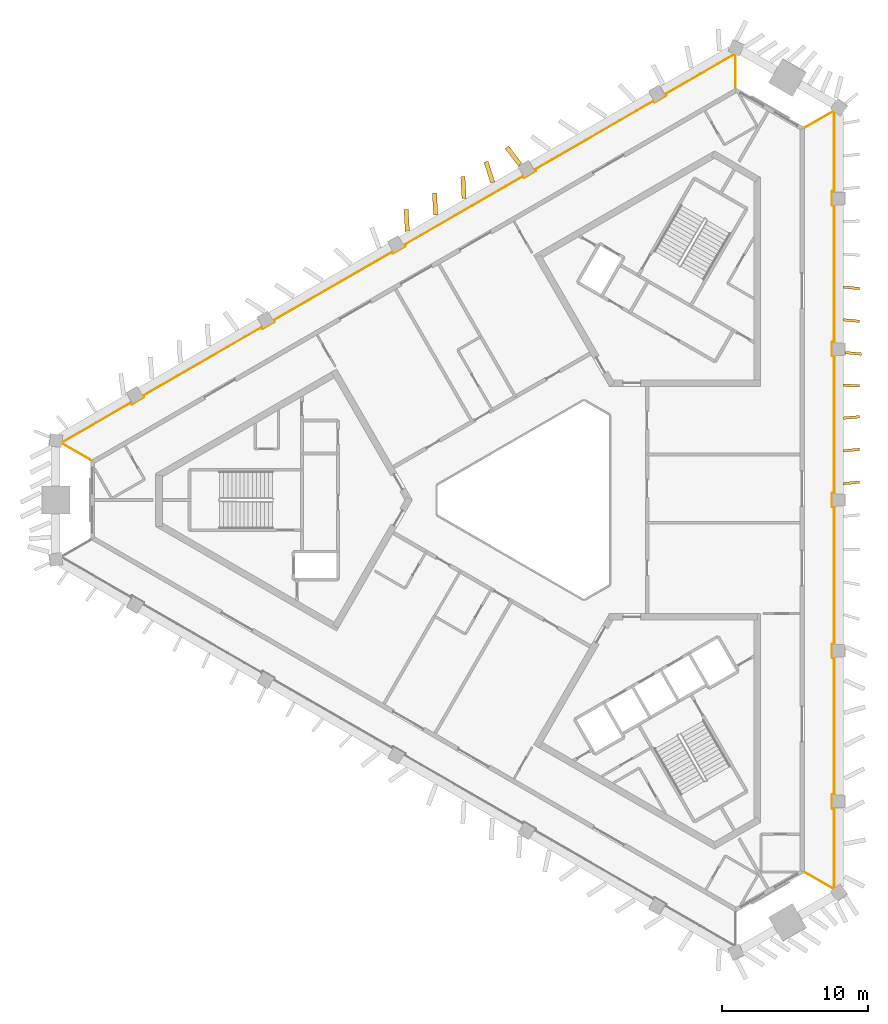
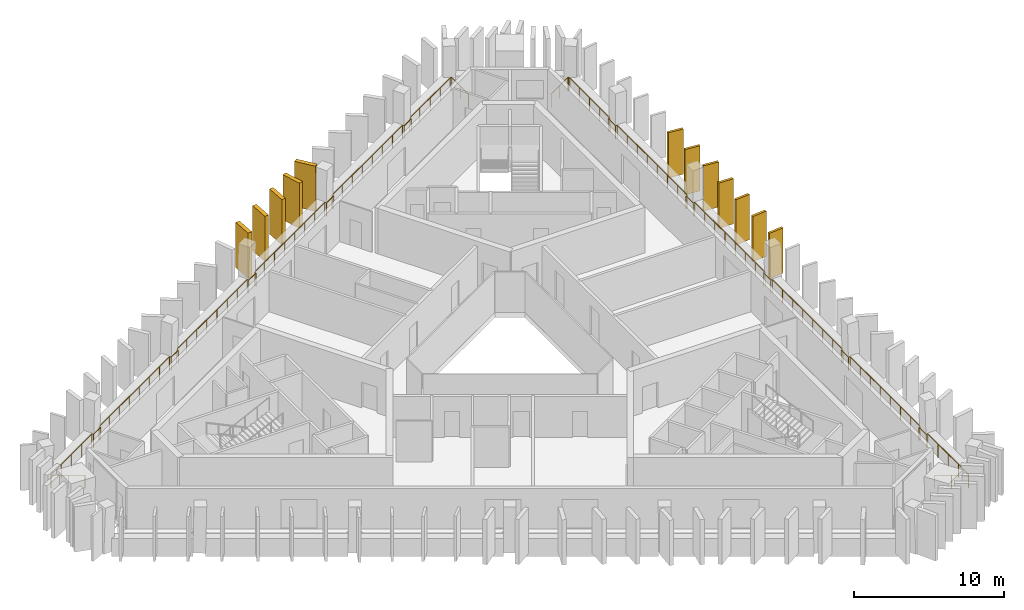
# One storey, part 9 of 10: 12 shading devices, 2 railings.
"""IFC4 building model written with IfcOpenShell, lengths in metres."""

from ifc_helpers import new_model, si_unit, direction, frame, frame_2d, origin, origin_2d, place, context, subcontext, project, spatial, rectangle, circle, extrude, material, layer, layer_set, type_object, element, save


model = new_model("IFC4")

# Units and contexts
model_context = context("Model", 3, precision=1e-05, world=origin(), true_north=direction((0.0, 1.0)))
body_context = subcontext(model_context, "Body", "Model", "MODEL_VIEW")
ifc_project = project(units=[si_unit("LENGTHUNIT", "METRE"), si_unit("AREAUNIT", "SQUARE_METRE"), si_unit("VOLUMEUNIT", "CUBIC_METRE"), si_unit("PLANEANGLEUNIT", "RADIAN"), si_unit("MASSUNIT", "GRAM", prefix="KILO")], contexts=[model_context])

# Site, building, storey
site_placement = place(None, origin())
site = spatial("IfcSite", under=ifc_project, at=site_placement, CompositionType="ELEMENT")
building_placement = place(site_placement, origin())
building = spatial("IfcBuilding", under=site, at=building_placement, Name="Jabali Bay Hotel Tower and Convention Centre", CompositionType="ELEMENT")
storey_placement = place(building_placement, frame((0.0, 0.0, 216.89990234375)))
storey = spatial("IfcBuildingStorey", under=building, at=storey_placement, Name="L53", CompositionType="ELEMENT", Elevation=216.89990234375)

# Railings
ifc_material_1 = material(Name="Glass", Category="glass")
railing_type = type_object("IfcRailingType", Name="Loggia glass guard 1100", PredefinedType="BALUSTRADE", material=ifc_material_1)
railing_1_placement = place(storey_placement, frame((92.9267578125, 105.546142578125, 0.0)))
element("IfcRailing", 1, at=railing_1_placement, inside=storey, type_object=railing_type, Name="Loggia glass guard L53", PredefinedType="BALUSTRADE", context=body_context, shape_type="SweptSolid", body=[
    extrude(circle(Radius=0.02490234375, at=origin_2d()), frame((0.0, 0.0, 1.0751953125), z_axis=(0.866008297462, 0.50002962785, 0.0), x_axis=(-0.495751805066, 0.858599476426, 0.13052619222)), (0.0, 0.0, 1.0), 2.247314453125),
    extrude(circle(Radius=0.02490234375, at=origin_2d()), frame((1.9462890625, 1.123779296875, 1.0751953125), z_axis=(0.8, -0.6, 0.0), x_axis=(0.594866916824, 0.793155889099, 0.13052619222)), (0.0, 0.0, 1.0), 0.067138671875),
    extrude(circle(Radius=0.02490234375, at=origin_2d()), frame((2.0, 1.08349609375, 1.0751953125), z_axis=(0.0, -1.0, 0.0), x_axis=(0.991444861374, 0.0, 0.13052619222)), (0.0, 0.0, 1.0), 5.4609375),
    extrude(circle(Radius=0.02490234375, at=origin_2d()), frame((2.0, -4.37744140625, 1.0751953125), z_axis=(-1.0, 0.0, 0.0), x_axis=(0.0, -0.991444861374, 0.13052619222)), (0.0, 0.0, 1.0), 0.125),
    extrude(circle(Radius=0.02490234375, at=origin_2d()), frame((1.875, -4.37744140625, 1.0751953125), z_axis=(0.0, -1.0, 0.0), x_axis=(0.991444861374, 0.0, 0.13052619222)), (0.0, 0.0, 1.0), 0.949951171875),
    extrude(circle(Radius=0.02490234375, at=origin_2d()), frame((1.875, -5.327392578125, 1.0751953125), z_axis=(1.0, 0.0, 0.0), x_axis=(0.0, 0.991444861374, 0.13052619222)), (0.0, 0.0, 1.0), 0.125),
    extrude(circle(Radius=0.02490234375, at=origin_2d()), frame((2.0, -5.327392578125, 1.0751953125), z_axis=(0.0, -1.0, 0.0), x_axis=(0.991444861374, 0.0, 0.13052619222)), (0.0, 0.0, 1.0), 9.39697265625),
    extrude(circle(Radius=0.02490234375, at=origin_2d()), frame((2.0, -14.724365234375, 1.0751953125), z_axis=(-1.0, 0.0, 0.0), x_axis=(0.0, -0.991444861374, 0.13052619222)), (0.0, 0.0, 1.0), 0.125),
    extrude(circle(Radius=0.02490234375, at=origin_2d()), frame((1.875, -14.724365234375, 1.0751953125), z_axis=(0.0, -1.0, 0.0), x_axis=(0.991444861374, 0.0, 0.13052619222)), (0.0, 0.0, 1.0), 0.949951171875),
    extrude(circle(Radius=0.02490234375, at=origin_2d()), frame((1.875, -15.67431640625, 1.0751953125), z_axis=(1.0, 0.0, 0.0), x_axis=(0.0, 0.991444861374, 0.13052619222)), (0.0, 0.0, 1.0), 0.125),
    extrude(circle(Radius=0.02490234375, at=origin_2d()), frame((2.0, -15.67431640625, 1.0751953125), z_axis=(0.0, -1.0, 0.0), x_axis=(0.991444861374, 0.0, 0.13052619222)), (0.0, 0.0, 1.0), 9.396728515625),
    extrude(circle(Radius=0.02490234375, at=origin_2d()), frame((2.0, -25.071044921875, 1.0751953125), z_axis=(-1.0, 0.0, 0.0), x_axis=(0.0, -0.991444861374, 0.13052619222)), (0.0, 0.0, 1.0), 0.125),
    extrude(circle(Radius=0.02490234375, at=origin_2d()), frame((1.875, -25.071044921875, 1.0751953125), z_axis=(0.0, -1.0, 0.0), x_axis=(0.991444861374, 0.0, 0.13052619222)), (0.0, 0.0, 1.0), 0.9501953125),
    extrude(circle(Radius=0.02490234375, at=origin_2d()), frame((1.875, -26.021240234375, 1.0751953125), z_axis=(1.0, 0.0, 0.0), x_axis=(0.0, 0.991444861374, 0.13052619222)), (0.0, 0.0, 1.0), 0.125),
    extrude(circle(Radius=0.02490234375, at=origin_2d()), frame((2.0, -26.021240234375, 1.0751953125), z_axis=(0.0, -1.0, 0.0), x_axis=(0.991444861374, 0.0, 0.13052619222)), (0.0, 0.0, 1.0), 9.396728515625),
    extrude(circle(Radius=0.02490234375, at=origin_2d()), frame((2.0, -35.41796875, 1.0751953125), z_axis=(-1.0, 0.0, 0.0), x_axis=(0.0, -0.991444861374, 0.13052619222)), (0.0, 0.0, 1.0), 0.125),
    extrude(circle(Radius=0.02490234375, at=origin_2d()), frame((1.875, -35.41796875, 1.0751953125), z_axis=(0.0, -1.0, 0.0), x_axis=(0.991444861374, 0.0, 0.13052619222)), (0.0, 0.0, 1.0), 0.949951171875),
    extrude(circle(Radius=0.02490234375, at=origin_2d()), frame((1.875, -36.367919921875, 1.0751953125), z_axis=(1.0, 0.0, 0.0), x_axis=(0.0, 0.991444861374, 0.13052619222)), (0.0, 0.0, 1.0), 0.125),
    extrude(circle(Radius=0.02490234375, at=origin_2d()), frame((2.0, -36.367919921875, 1.0751953125), z_axis=(0.0, -1.0, 0.0), x_axis=(0.991444861374, 0.0, 0.13052619222)), (0.0, 0.0, 1.0), 9.39697265625),
    extrude(circle(Radius=0.02490234375, at=origin_2d()), frame((2.0, -45.764892578125, 1.0751953125), z_axis=(-1.0, 0.0, 0.0), x_axis=(0.0, -0.991444861374, 0.13052619222)), (0.0, 0.0, 1.0), 0.125),
    extrude(circle(Radius=0.02490234375, at=origin_2d()), frame((1.875, -45.764892578125, 1.0751953125), z_axis=(0.0, -1.0, 0.0), x_axis=(0.991444861374, 0.0, 0.13052619222)), (0.0, 0.0, 1.0), 0.949951171875),
    extrude(circle(Radius=0.02490234375, at=origin_2d()), frame((1.875, -46.71484375, 1.0751953125), z_axis=(1.0, 0.0, 0.0), x_axis=(0.0, 0.991444861374, 0.13052619222)), (0.0, 0.0, 1.0), 0.125),
    extrude(circle(Radius=0.02490234375, at=origin_2d()), frame((2.0, -46.71484375, 1.0751953125), z_axis=(0.0, -1.0, 0.0), x_axis=(0.991444861374, 0.0, 0.13052619222)), (0.0, 0.0, 1.0), 5.4609375),
    extrude(circle(Radius=0.02490234375, at=origin_2d()), frame((2.0, -52.17578125, 1.0751953125), z_axis=(-0.8, -0.6, 0.0), x_axis=(0.594866916824, -0.793155889099, 0.13052619222)), (0.0, 0.0, 1.0), 0.067138671875),
    extrude(circle(Radius=0.02490234375, at=origin_2d()), frame((1.9462890625, -52.216064453125, 1.0751953125), z_axis=(-0.866008297462, 0.50002962785, 0.0), x_axis=(-0.495751805066, -0.858599476426, 0.13052619222)), (0.0, 0.0, 1.0), 2.247314453125),
    extrude(circle(Radius=0.02001953125, at=origin_2d()), origin(), (0.0, 0.0, 1.0), 1.050048828125),
    extrude(circle(Radius=0.02001953125, at=origin_2d()), frame((0.97314453125, 0.56201171875, 0.0)), (0.0, 0.0, 1.0), 1.050048828125),
    extrude(circle(Radius=0.02001953125, at=origin_2d()), frame((1.9462890625, 1.123779296875, 0.0)), (0.0, 0.0, 1.0), 1.050048828125),
    extrude(circle(Radius=0.02001953125, at=origin_2d()), frame((2.0, 1.08349609375, 0.0)), (0.0, 0.0, 1.0), 1.050048828125),
    extrude(circle(Radius=0.02001953125, at=origin_2d()), frame((2.0, -0.28173828125, 0.0)), (0.0, 0.0, 1.0), 1.050048828125),
    extrude(circle(Radius=0.02001953125, at=origin_2d()), frame((2.0, -1.64697265625, 0.0)), (0.0, 0.0, 1.0), 1.050048828125),
    extrude(circle(Radius=0.02001953125, at=origin_2d()), frame((2.0, -3.01220703125, 0.0)), (0.0, 0.0, 1.0), 1.050048828125),
    extrude(circle(Radius=0.02001953125, at=origin_2d()), frame((2.0, -4.37744140625, 0.0)), (0.0, 0.0, 1.0), 1.050048828125),
    extrude(circle(Radius=0.02001953125, at=origin_2d()), frame((1.875, -4.37744140625, 0.0)), (0.0, 0.0, 1.0), 1.050048828125),
    extrude(circle(Radius=0.02001953125, at=origin_2d()), frame((1.875, -5.327392578125, 0.0)), (0.0, 0.0, 1.0), 1.050048828125),
    extrude(circle(Radius=0.02001953125, at=origin_2d()), frame((2.0, -5.327392578125, 0.0)), (0.0, 0.0, 1.0), 1.050048828125),
    extrude(circle(Radius=0.02001953125, at=origin_2d()), frame((2.0, -6.669921875, 0.0)), (0.0, 0.0, 1.0), 1.050048828125),
    extrude(circle(Radius=0.02001953125, at=origin_2d()), frame((2.0, -8.01220703125, 0.0)), (0.0, 0.0, 1.0), 1.050048828125),
    extrude(circle(Radius=0.02001953125, at=origin_2d()), frame((2.0, -9.354736328125, 0.0)), (0.0, 0.0, 1.0), 1.050048828125),
    extrude(circle(Radius=0.02001953125, at=origin_2d()), frame((2.0, -10.697021484375, 0.0)), (0.0, 0.0, 1.0), 1.050048828125),
    extrude(circle(Radius=0.02001953125, at=origin_2d()), frame((2.0, -12.03955078125, 0.0)), (0.0, 0.0, 1.0), 1.050048828125),
    extrude(circle(Radius=0.02001953125, at=origin_2d()), frame((2.0, -13.3818359375, 0.0)), (0.0, 0.0, 1.0), 1.050048828125),
    extrude(circle(Radius=0.02001953125, at=origin_2d()), frame((2.0, -14.724365234375, 0.0)), (0.0, 0.0, 1.0), 1.050048828125),
    extrude(circle(Radius=0.02001953125, at=origin_2d()), frame((1.875, -14.724365234375, 0.0)), (0.0, 0.0, 1.0), 1.050048828125),
    extrude(circle(Radius=0.02001953125, at=origin_2d()), frame((1.875, -15.67431640625, 0.0)), (0.0, 0.0, 1.0), 1.050048828125),
    extrude(circle(Radius=0.02001953125, at=origin_2d()), frame((2.0, -15.67431640625, 0.0)), (0.0, 0.0, 1.0), 1.050048828125),
    extrude(circle(Radius=0.02001953125, at=origin_2d()), frame((2.0, -17.0166015625, 0.0)), (0.0, 0.0, 1.0), 1.050048828125),
    extrude(circle(Radius=0.02001953125, at=origin_2d()), frame((2.0, -18.359130859375, 0.0)), (0.0, 0.0, 1.0), 1.050048828125),
    extrude(circle(Radius=0.02001953125, at=origin_2d()), frame((2.0, -19.701416015625, 0.0)), (0.0, 0.0, 1.0), 1.050048828125),
    extrude(circle(Radius=0.02001953125, at=origin_2d()), frame((2.0, -21.0439453125, 0.0)), (0.0, 0.0, 1.0), 1.050048828125),
    extrude(circle(Radius=0.02001953125, at=origin_2d()), frame((2.0, -22.38623046875, 0.0)), (0.0, 0.0, 1.0), 1.050048828125),
    extrude(circle(Radius=0.02001953125, at=origin_2d()), frame((2.0, -23.728759765625, 0.0)), (0.0, 0.0, 1.0), 1.050048828125),
    extrude(circle(Radius=0.02001953125, at=origin_2d()), frame((2.0, -25.071044921875, 0.0)), (0.0, 0.0, 1.0), 1.050048828125),
    extrude(circle(Radius=0.02001953125, at=origin_2d()), frame((1.875, -25.071044921875, 0.0)), (0.0, 0.0, 1.0), 1.050048828125),
    extrude(circle(Radius=0.02001953125, at=origin_2d()), frame((1.875, -26.021240234375, 0.0)), (0.0, 0.0, 1.0), 1.050048828125),
    extrude(circle(Radius=0.02001953125, at=origin_2d()), frame((2.0, -26.021240234375, 0.0)), (0.0, 0.0, 1.0), 1.050048828125),
    extrude(circle(Radius=0.02001953125, at=origin_2d()), frame((2.0, -27.363525390625, 0.0)), (0.0, 0.0, 1.0), 1.050048828125),
    extrude(circle(Radius=0.02001953125, at=origin_2d()), frame((2.0, -28.7060546875, 0.0)), (0.0, 0.0, 1.0), 1.050048828125),
    extrude(circle(Radius=0.02001953125, at=origin_2d()), frame((2.0, -30.04833984375, 0.0)), (0.0, 0.0, 1.0), 1.050048828125),
    extrude(circle(Radius=0.02001953125, at=origin_2d()), frame((2.0, -31.390869140625, 0.0)), (0.0, 0.0, 1.0), 1.050048828125),
    extrude(circle(Radius=0.02001953125, at=origin_2d()), frame((2.0, -32.733154296875, 0.0)), (0.0, 0.0, 1.0), 1.050048828125),
    extrude(circle(Radius=0.02001953125, at=origin_2d()), frame((2.0, -34.07568359375, 0.0)), (0.0, 0.0, 1.0), 1.050048828125),
    extrude(circle(Radius=0.02001953125, at=origin_2d()), frame((2.0, -35.41796875, 0.0)), (0.0, 0.0, 1.0), 1.050048828125),
    extrude(circle(Radius=0.02001953125, at=origin_2d()), frame((1.875, -35.41796875, 0.0)), (0.0, 0.0, 1.0), 1.050048828125),
    extrude(circle(Radius=0.02001953125, at=origin_2d()), frame((1.875, -36.367919921875, 0.0)), (0.0, 0.0, 1.0), 1.050048828125),
    extrude(circle(Radius=0.02001953125, at=origin_2d()), frame((2.0, -36.367919921875, 0.0)), (0.0, 0.0, 1.0), 1.050048828125),
    extrude(circle(Radius=0.02001953125, at=origin_2d()), frame((2.0, -37.71044921875, 0.0)), (0.0, 0.0, 1.0), 1.050048828125),
    extrude(circle(Radius=0.02001953125, at=origin_2d()), frame((2.0, -39.052734375, 0.0)), (0.0, 0.0, 1.0), 1.050048828125),
    extrude(circle(Radius=0.02001953125, at=origin_2d()), frame((2.0, -40.395263671875, 0.0)), (0.0, 0.0, 1.0), 1.050048828125),
    extrude(circle(Radius=0.02001953125, at=origin_2d()), frame((2.0, -41.737548828125, 0.0)), (0.0, 0.0, 1.0), 1.050048828125),
    extrude(circle(Radius=0.02001953125, at=origin_2d()), frame((2.0, -43.080078125, 0.0)), (0.0, 0.0, 1.0), 1.050048828125),
    extrude(circle(Radius=0.02001953125, at=origin_2d()), frame((2.0, -44.42236328125, 0.0)), (0.0, 0.0, 1.0), 1.050048828125),
    extrude(circle(Radius=0.02001953125, at=origin_2d()), frame((2.0, -45.764892578125, 0.0)), (0.0, 0.0, 1.0), 1.050048828125),
    extrude(circle(Radius=0.02001953125, at=origin_2d()), frame((1.875, -45.764892578125, 0.0)), (0.0, 0.0, 1.0), 1.050048828125),
    extrude(circle(Radius=0.02001953125, at=origin_2d()), frame((1.875, -46.71484375, 0.0)), (0.0, 0.0, 1.0), 1.050048828125),
    extrude(circle(Radius=0.02001953125, at=origin_2d()), frame((2.0, -46.71484375, 0.0)), (0.0, 0.0, 1.0), 1.050048828125),
    extrude(circle(Radius=0.02001953125, at=origin_2d()), frame((2.0, -48.080078125, 0.0)), (0.0, 0.0, 1.0), 1.050048828125),
    extrude(circle(Radius=0.02001953125, at=origin_2d()), frame((2.0, -49.4453125, 0.0)), (0.0, 0.0, 1.0), 1.050048828125),
    extrude(circle(Radius=0.02001953125, at=origin_2d()), frame((2.0, -50.810546875, 0.0)), (0.0, 0.0, 1.0), 1.050048828125),
    extrude(circle(Radius=0.02001953125, at=origin_2d()), frame((2.0, -52.17578125, 0.0)), (0.0, 0.0, 1.0), 1.050048828125),
    extrude(circle(Radius=0.02001953125, at=origin_2d()), frame((1.9462890625, -52.216064453125, 0.0)), (0.0, 0.0, 1.0), 1.050048828125),
    extrude(circle(Radius=0.02001953125, at=origin_2d()), frame((0.97314453125, -51.654296875, 0.0)), (0.0, 0.0, 1.0), 1.050048828125),
    extrude(circle(Radius=0.02001953125, at=origin_2d()), frame((0.0, -51.09228515625, 0.0)), (0.0, 0.0, 1.0), 1.050048828125),
])
railing_2_placement = place(storey_placement, frame((43.9130859375, 82.751953125, 0.0)))
element("IfcRailing", 2, at=railing_2_placement, inside=storey, type_object=railing_type, Name="Loggia glass guard L53", PredefinedType="BALUSTRADE", context=body_context, shape_type="SweptSolid", body=[
    extrude(circle(Radius=0.02490234375, at=origin_2d()), frame((0.0, 0.0, 1.0751953125), z_axis=(-0.866082486575, 0.499901116671, 0.0), x_axis=(-0.495624393318, -0.85867303084, 0.13052619222)), (0.0, 0.0, 1.0), 2.24755859375),
    extrude(circle(Radius=0.02490234375, at=origin_2d()), frame((-1.946533203125, 1.12353515625, 1.0751953125), z_axis=(0.123587346971, 0.992333697739, 0.0), x_axis=(-0.983844145392, 0.122530040085, 0.13052619222)), (0.0, 0.0, 1.0), 0.067138671875),
    extrude(circle(Radius=0.02490234375, at=origin_2d()), frame((-1.938232421875, 1.190185546875, 1.0751953125), z_axis=(0.86602253992, 0.500004960326, 0.0), x_axis=(-0.495727348576, 0.858613597038, 0.13052619222)), (0.0, 0.0, 1.0), 5.4609375),
    extrude(circle(Radius=0.02490234375, at=origin_2d()), frame((2.791015625, 3.920654296875, 1.0751953125), z_axis=(0.500342721131, -0.865827443207, 0.0), x_axis=(0.858420169404, 0.496062219791, 0.13052619222)), (0.0, 0.0, 1.0), 0.125),
    extrude(circle(Radius=0.02490234375, at=origin_2d()), frame((2.853515625, 3.8125, 1.0751953125), z_axis=(0.865988727248, 0.500063520245, 0.0), x_axis=(-0.495785407507, 0.858580073638, 0.13052619222)), (0.0, 0.0, 1.0), 0.9501953125),
    extrude(circle(Radius=0.02490234375, at=origin_2d()), frame((3.67626953125, 4.28759765625, 1.0751953125), z_axis=(-0.500342721131, 0.865827443207, 0.0), x_axis=(-0.858420169404, -0.496062219791, 0.13052619222)), (0.0, 0.0, 1.0), 0.125),
    extrude(circle(Radius=0.02490234375, at=origin_2d()), frame((3.61376953125, 4.395751953125, 1.0751953125), z_axis=(0.866023339644, 0.500003575179, 0.0), x_axis=(-0.49572597528, 0.85861438992, 0.13052619222)), (0.0, 0.0, 1.0), 9.39697265625),
    extrude(circle(Radius=0.02490234375, at=origin_2d()), frame((11.751708984375, 9.09423828125, 1.0751953125), z_axis=(0.499497219344, -0.8663154898, 0.0), x_axis=(0.858904040691, 0.495223951389, 0.13052619222)), (0.0, 0.0, 1.0), 0.125244140625),
    extrude(circle(Radius=0.02490234375, at=origin_2d()), frame((11.814208984375, 8.98583984375, 1.0751953125), z_axis=(0.865924446982, 0.500174821557, 0.0), x_axis=(-0.495895756621, 0.858516343298, 0.13052619222)), (0.0, 0.0, 1.0), 0.949951171875),
    extrude(circle(Radius=0.02490234375, at=origin_2d()), frame((12.63671875, 9.4609375, 1.0751953125), z_axis=(-0.500342721131, 0.865827443207, 0.0), x_axis=(-0.858420169404, -0.496062219791, 0.13052619222)), (0.0, 0.0, 1.0), 0.125),
    extrude(circle(Radius=0.02490234375, at=origin_2d()), frame((12.57421875, 9.569091796875, 1.0751953125), z_axis=(0.866023339644, 0.500003575179, 0.0), x_axis=(-0.49572597528, 0.85861438992, 0.13052619222)), (0.0, 0.0, 1.0), 9.39697265625),
    extrude(circle(Radius=0.02490234375, at=origin_2d()), frame((20.712158203125, 14.267578125, 1.0751953125), z_axis=(0.500342721131, -0.865827443207, 0.0), x_axis=(0.858420169404, 0.496062219791, 0.13052619222)), (0.0, 0.0, 1.0), 0.125),
    extrude(circle(Radius=0.02490234375, at=origin_2d()), frame((20.774658203125, 14.159423828125, 1.0751953125), z_axis=(0.866100000774, 0.49987077196, 0.0), x_axis=(-0.495594308211, 0.858690395203, 0.13052619222)), (0.0, 0.0, 1.0), 0.949951171875),
    extrude(circle(Radius=0.02490234375, at=origin_2d()), frame((21.597412109375, 14.63427734375, 1.0751953125), z_axis=(-0.499497219344, 0.8663154898, 0.0), x_axis=(-0.858904040691, -0.495223951389, 0.13052619222)), (0.0, 0.0, 1.0), 0.125244140625),
    extrude(circle(Radius=0.02490234375, at=origin_2d()), frame((21.534912109375, 14.74267578125, 1.0751953125), z_axis=(0.86603458971, 0.499984089172, 0.0), x_axis=(-0.495706655979, 0.85862554374, 0.13052619222)), (0.0, 0.0, 1.0), 9.396728515625),
    extrude(circle(Radius=0.02490234375, at=origin_2d()), frame((29.6728515625, 19.44091796875, 1.0751953125), z_axis=(0.500342721131, -0.865827443207, 0.0), x_axis=(0.858420169404, 0.496062219791, 0.13052619222)), (0.0, 0.0, 1.0), 0.125),
    extrude(circle(Radius=0.02490234375, at=origin_2d()), frame((29.7353515625, 19.332763671875, 1.0751953125), z_axis=(0.866100000774, 0.49987077196, 0.0), x_axis=(-0.495594308211, 0.858690395203, 0.13052619222)), (0.0, 0.0, 1.0), 0.949951171875),
    extrude(circle(Radius=0.02490234375, at=origin_2d()), frame((30.55810546875, 19.8076171875, 1.0751953125), z_axis=(-0.499497219344, 0.8663154898, 0.0), x_axis=(-0.858904040691, -0.495223951389, 0.13052619222)), (0.0, 0.0, 1.0), 0.125244140625),
    extrude(circle(Radius=0.02490234375, at=origin_2d()), frame((30.49560546875, 19.916015625, 1.0751953125), z_axis=(0.866023339644, 0.500003575179, 0.0), x_axis=(-0.49572597528, 0.85861438992, 0.13052619222)), (0.0, 0.0, 1.0), 9.39697265625),
    extrude(circle(Radius=0.02490234375, at=origin_2d()), frame((38.633544921875, 24.614501953125, 1.0751953125), z_axis=(0.499497219344, -0.8663154898, 0.0), x_axis=(0.858904040691, 0.495223951389, 0.13052619222)), (0.0, 0.0, 1.0), 0.125244140625),
    extrude(circle(Radius=0.02490234375, at=origin_2d()), frame((38.696044921875, 24.506103515625, 1.0751953125), z_axis=(0.865924446982, 0.500174821557, 0.0), x_axis=(-0.495895756621, 0.858516343298, 0.13052619222)), (0.0, 0.0, 1.0), 0.949951171875),
    extrude(circle(Radius=0.02490234375, at=origin_2d()), frame((39.5185546875, 24.981201171875, 1.0751953125), z_axis=(-0.500342721131, 0.865827443207, 0.0), x_axis=(-0.858420169404, -0.496062219791, 0.13052619222)), (0.0, 0.0, 1.0), 0.125),
    extrude(circle(Radius=0.02490234375, at=origin_2d()), frame((39.4560546875, 25.08935546875, 1.0751953125), z_axis=(0.866033716285, 0.499985602051, 0.0), x_axis=(-0.495708155914, 0.858624677787, 0.13052619222)), (0.0, 0.0, 1.0), 5.461181640625),
    extrude(circle(Radius=0.02490234375, at=origin_2d()), frame((44.185546875, 27.81982421875, 1.0751953125), z_axis=(0.91970817197, -0.392602697916, 0.0), x_axis=(0.38924392741, 0.911839941063, 0.13052619222)), (0.0, 0.0, 1.0), 0.067138671875),
    extrude(circle(Radius=0.02490234375, at=origin_2d()), frame((44.247314453125, 27.79345703125, 1.0751953125), z_axis=(0.0, -1.0, 0.0), x_axis=(0.991444861374, 0.0, 0.13052619222)), (0.0, 0.0, 1.0), 2.247314453125),
    extrude(circle(Radius=0.02001953125, at=origin_2d()), origin(), (0.0, 0.0, 1.0), 1.050048828125),
    extrude(circle(Radius=0.02001953125, at=origin_2d()), frame((-0.97314453125, 0.561767578125, 0.0)), (0.0, 0.0, 1.0), 1.050048828125),
    extrude(circle(Radius=0.02001953125, at=origin_2d()), frame((-1.946533203125, 1.12353515625, 0.0)), (0.0, 0.0, 1.0), 1.050048828125),
    extrude(circle(Radius=0.02001953125, at=origin_2d()), frame((-1.938232421875, 1.190185546875, 0.0)), (0.0, 0.0, 1.0), 1.050048828125),
    extrude(circle(Radius=0.02001953125, at=origin_2d()), frame((-0.755859375, 1.872802734375, 0.0)), (0.0, 0.0, 1.0), 1.050048828125),
    extrude(circle(Radius=0.02001953125, at=origin_2d()), frame((0.42626953125, 2.555419921875, 0.0)), (0.0, 0.0, 1.0), 1.050048828125),
    extrude(circle(Radius=0.02001953125, at=origin_2d()), frame((1.608642578125, 3.238037109375, 0.0)), (0.0, 0.0, 1.0), 1.050048828125),
    extrude(circle(Radius=0.02001953125, at=origin_2d()), frame((2.791015625, 3.920654296875, 0.0)), (0.0, 0.0, 1.0), 1.050048828125),
    extrude(circle(Radius=0.02001953125, at=origin_2d()), frame((2.853515625, 3.8125, 0.0)), (0.0, 0.0, 1.0), 1.050048828125),
    extrude(circle(Radius=0.02001953125, at=origin_2d()), frame((3.67626953125, 4.28759765625, 0.0)), (0.0, 0.0, 1.0), 1.050048828125),
    extrude(circle(Radius=0.02001953125, at=origin_2d()), frame((3.61376953125, 4.395751953125, 0.0)), (0.0, 0.0, 1.0), 1.050048828125),
    extrude(circle(Radius=0.02001953125, at=origin_2d()), frame((4.7763671875, 5.06689453125, 0.0)), (0.0, 0.0, 1.0), 1.050048828125),
    extrude(circle(Radius=0.02001953125, at=origin_2d()), frame((5.93896484375, 5.73828125, 0.0)), (0.0, 0.0, 1.0), 1.050048828125),
    extrude(circle(Radius=0.02001953125, at=origin_2d()), frame((7.1015625, 6.409423828125, 0.0)), (0.0, 0.0, 1.0), 1.050048828125),
    extrude(circle(Radius=0.02001953125, at=origin_2d()), frame((8.263916015625, 7.08056640625, 0.0)), (0.0, 0.0, 1.0), 1.050048828125),
    extrude(circle(Radius=0.02001953125, at=origin_2d()), frame((9.426513671875, 7.751708984375, 0.0)), (0.0, 0.0, 1.0), 1.050048828125),
    extrude(circle(Radius=0.02001953125, at=origin_2d()), frame((10.589111328125, 8.423095703125, 0.0)), (0.0, 0.0, 1.0), 1.050048828125),
    extrude(circle(Radius=0.02001953125, at=origin_2d()), frame((11.751708984375, 9.09423828125, 0.0)), (0.0, 0.0, 1.0), 1.050048828125),
    extrude(circle(Radius=0.02001953125, at=origin_2d()), frame((11.814208984375, 8.98583984375, 0.0)), (0.0, 0.0, 1.0), 1.050048828125),
    extrude(circle(Radius=0.02001953125, at=origin_2d()), frame((12.63671875, 9.4609375, 0.0)), (0.0, 0.0, 1.0), 1.050048828125),
    extrude(circle(Radius=0.02001953125, at=origin_2d()), frame((12.57421875, 9.569091796875, 0.0)), (0.0, 0.0, 1.0), 1.050048828125),
    extrude(circle(Radius=0.02001953125, at=origin_2d()), frame((13.73681640625, 10.240234375, 0.0)), (0.0, 0.0, 1.0), 1.050048828125),
    extrude(circle(Radius=0.02001953125, at=origin_2d()), frame((14.8994140625, 10.91162109375, 0.0)), (0.0, 0.0, 1.0), 1.050048828125),
    extrude(circle(Radius=0.02001953125, at=origin_2d()), frame((16.06201171875, 11.582763671875, 0.0)), (0.0, 0.0, 1.0), 1.050048828125),
    extrude(circle(Radius=0.02001953125, at=origin_2d()), frame((17.224365234375, 12.25390625, 0.0)), (0.0, 0.0, 1.0), 1.050048828125),
    extrude(circle(Radius=0.02001953125, at=origin_2d()), frame((18.386962890625, 12.925048828125, 0.0)), (0.0, 0.0, 1.0), 1.050048828125),
    extrude(circle(Radius=0.02001953125, at=origin_2d()), frame((19.549560546875, 13.596435546875, 0.0)), (0.0, 0.0, 1.0), 1.050048828125),
    extrude(circle(Radius=0.02001953125, at=origin_2d()), frame((20.712158203125, 14.267578125, 0.0)), (0.0, 0.0, 1.0), 1.050048828125),
    extrude(circle(Radius=0.02001953125, at=origin_2d()), frame((20.774658203125, 14.159423828125, 0.0)), (0.0, 0.0, 1.0), 1.050048828125),
    extrude(circle(Radius=0.02001953125, at=origin_2d()), frame((21.597412109375, 14.63427734375, 0.0)), (0.0, 0.0, 1.0), 1.050048828125),
    extrude(circle(Radius=0.02001953125, at=origin_2d()), frame((21.534912109375, 14.74267578125, 0.0)), (0.0, 0.0, 1.0), 1.050048828125),
    extrude(circle(Radius=0.02001953125, at=origin_2d()), frame((22.697509765625, 15.413818359375, 0.0)), (0.0, 0.0, 1.0), 1.050048828125),
    extrude(circle(Radius=0.02001953125, at=origin_2d()), frame((23.860107421875, 16.0849609375, 0.0)), (0.0, 0.0, 1.0), 1.050048828125),
    extrude(circle(Radius=0.02001953125, at=origin_2d()), frame((25.022705078125, 16.756103515625, 0.0)), (0.0, 0.0, 1.0), 1.050048828125),
    extrude(circle(Radius=0.02001953125, at=origin_2d()), frame((26.18505859375, 17.427490234375, 0.0)), (0.0, 0.0, 1.0), 1.050048828125),
    extrude(circle(Radius=0.02001953125, at=origin_2d()), frame((27.34765625, 18.0986328125, 0.0)), (0.0, 0.0, 1.0), 1.050048828125),
    extrude(circle(Radius=0.02001953125, at=origin_2d()), frame((28.51025390625, 18.769775390625, 0.0)), (0.0, 0.0, 1.0), 1.050048828125),
    extrude(circle(Radius=0.02001953125, at=origin_2d()), frame((29.6728515625, 19.44091796875, 0.0)), (0.0, 0.0, 1.0), 1.050048828125),
    extrude(circle(Radius=0.02001953125, at=origin_2d()), frame((29.7353515625, 19.332763671875, 0.0)), (0.0, 0.0, 1.0), 1.050048828125),
    extrude(circle(Radius=0.02001953125, at=origin_2d()), frame((30.55810546875, 19.8076171875, 0.0)), (0.0, 0.0, 1.0), 1.050048828125),
    extrude(circle(Radius=0.02001953125, at=origin_2d()), frame((30.49560546875, 19.916015625, 0.0)), (0.0, 0.0, 1.0), 1.050048828125),
    extrude(circle(Radius=0.02001953125, at=origin_2d()), frame((31.658203125, 20.587158203125, 0.0)), (0.0, 0.0, 1.0), 1.050048828125),
    extrude(circle(Radius=0.02001953125, at=origin_2d()), frame((32.82080078125, 21.258544921875, 0.0)), (0.0, 0.0, 1.0), 1.050048828125),
    extrude(circle(Radius=0.02001953125, at=origin_2d()), frame((33.9833984375, 21.9296875, 0.0)), (0.0, 0.0, 1.0), 1.050048828125),
    extrude(circle(Radius=0.02001953125, at=origin_2d()), frame((35.145751953125, 22.600830078125, 0.0)), (0.0, 0.0, 1.0), 1.050048828125),
    extrude(circle(Radius=0.02001953125, at=origin_2d()), frame((36.308349609375, 23.27197265625, 0.0)), (0.0, 0.0, 1.0), 1.050048828125),
    extrude(circle(Radius=0.02001953125, at=origin_2d()), frame((37.470947265625, 23.943359375, 0.0)), (0.0, 0.0, 1.0), 1.050048828125),
    extrude(circle(Radius=0.02001953125, at=origin_2d()), frame((38.633544921875, 24.614501953125, 0.0)), (0.0, 0.0, 1.0), 1.050048828125),
    extrude(circle(Radius=0.02001953125, at=origin_2d()), frame((38.696044921875, 24.506103515625, 0.0)), (0.0, 0.0, 1.0), 1.050048828125),
    extrude(circle(Radius=0.02001953125, at=origin_2d()), frame((39.5185546875, 24.981201171875, 0.0)), (0.0, 0.0, 1.0), 1.050048828125),
    extrude(circle(Radius=0.02001953125, at=origin_2d()), frame((39.4560546875, 25.08935546875, 0.0)), (0.0, 0.0, 1.0), 1.050048828125),
    extrude(circle(Radius=0.02001953125, at=origin_2d()), frame((40.638427734375, 25.77197265625, 0.0)), (0.0, 0.0, 1.0), 1.050048828125),
    extrude(circle(Radius=0.02001953125, at=origin_2d()), frame((41.82080078125, 26.45458984375, 0.0)), (0.0, 0.0, 1.0), 1.050048828125),
    extrude(circle(Radius=0.02001953125, at=origin_2d()), frame((43.003173828125, 27.13720703125, 0.0)), (0.0, 0.0, 1.0), 1.050048828125),
    extrude(circle(Radius=0.02001953125, at=origin_2d()), frame((44.185546875, 27.81982421875, 0.0)), (0.0, 0.0, 1.0), 1.050048828125),
    extrude(circle(Radius=0.02001953125, at=origin_2d()), frame((44.247314453125, 27.79345703125, 0.0)), (0.0, 0.0, 1.0), 1.050048828125),
    extrude(circle(Radius=0.02001953125, at=origin_2d()), frame((44.247314453125, 26.669921875, 0.0)), (0.0, 0.0, 1.0), 1.050048828125),
    extrude(circle(Radius=0.02001953125, at=origin_2d()), frame((44.247314453125, 25.546142578125, 0.0)), (0.0, 0.0, 1.0), 1.050048828125),
])

# Shading devices
ifc_material_2 = material(Name="Precast concrete C60", Category="concrete")
ifc_layer_1 = layer(ifc_material_2, 0.179931640625)
ifc_layer_set_1 = layer_set([ifc_layer_1], Name="Precast concrete C60")
shading_device_type_1 = type_object("IfcShadingDeviceType", Name="Precast fin 3680 x 1100", PredefinedType="USERDEFINED", material=ifc_layer_set_1)
for number, where, z_axis, x_axis, name in (
    (3, (95.577880859375, 81.123291015625, 0.010009765625), (0.0, 0.0, 1.0), (0.995305974015, 0.096778190158, 0.0), "Fin L53 012"),
    (4, (95.57763671875, 83.3701171875, 0.010009765625), (0.0, 0.0, 1.0), (0.995498464841, 0.094777668782, 0.0), "Fin L53 013"),
):
    element("IfcShadingDevice", number, at=place(storey_placement, frame(where, z_axis=z_axis, x_axis=x_axis)), inside=storey, type_object=shading_device_type_1, Name=name, ObjectType="FIN", PredefinedType="USERDEFINED", context=body_context, shape_type="SweptSolid", body=[
        extrude(rectangle(XDim=1.099853515625, YDim=0.179931640625, at=frame_2d((0.5498046875, 0.0))), origin(), (0.0, 0.0, 1.0), 3.68017578125),
    ])
for number, where, z_axis, x_axis, name in (
    (5, (95.57666015625, 85.61669921875, 0.010009765625), (0.0, 0.0, 1.0), (0.996437793341, 0.084331038189, 0.0), "Fin L53 014"),
    (6, (95.571533203125, 87.863525390625, 0.010009765625), (0.0, 0.0, 1.0), (0.999615104819, -0.02774242631, 0.0), "Fin L53 015"),
    (7, (95.7099609375, 90.1103515625, 0.010009765625), (0.0, 0.0, 1.0), (0.995583808732, -0.093876939611, 0.0), "Fin L53 016"),
):
    element("IfcShadingDevice", number, at=place(storey_placement, frame(where, z_axis=z_axis, x_axis=x_axis)), inside=storey, type_object=shading_device_type_1, Name=name, ObjectType="FIN", PredefinedType="USERDEFINED", context=body_context, shape_type="SweptSolid", body=[
        extrude(rectangle(XDim=1.10009765625, YDim=0.179931640625, at=frame_2d((0.550048828125, 0.0))), origin(), (0.0, 0.0, 1.0), 3.68017578125),
    ])
for number, where, z_axis, x_axis, name in (
    (8, (95.57763671875, 92.35693359375, 0.010009765625), (0.0, 0.0, 1.0), (0.9956025797, -0.093677656328, 0.0), "Fin L53 017"),
    (9, (95.57763671875, 94.603759765625, 0.010009765625), (0.0, 0.0, 1.0), (0.995561077, -0.094117702709, 0.0), "Fin L53 018"),
):
    element("IfcShadingDevice", number, at=place(storey_placement, frame(where, z_axis=z_axis, x_axis=x_axis)), inside=storey, type_object=shading_device_type_1, Name=name, ObjectType="FIN", PredefinedType="USERDEFINED", context=body_context, shape_type="SweptSolid", body=[
        extrude(rectangle(XDim=1.099853515625, YDim=0.179931640625, at=frame_2d((0.5498046875, 0.0))), origin(), (0.0, 0.0, 1.0), 3.68017578125),
    ])
ifc_layer_2 = layer(ifc_material_2, 0.300048828125)
ifc_layer_set_2 = layer_set([ifc_layer_2], Name="Precast concrete C60")
shading_device_type_2 = type_object("IfcShadingDeviceType", Name="Precast fin 3680 x 1500", PredefinedType="USERDEFINED", material=ifc_layer_set_2)
for number, where, z_axis, x_axis, name in (
    (10, (73.39501953125, 103.00048828125, 0.010009765625), (0.0, 0.0, 1.0), (-0.610056812961, 0.792357674892, 0.0), "Fin L53 039"),
    (11, (71.509765625, 101.7724609375, 0.010009765625), (0.0, 0.0, 1.0), (-0.306641339844, 0.951825135568, 0.0), "Fin L53 040"),
    (12, (69.546142578125, 100.68017578125, 0.010009765625), (0.0, 0.0, 1.0), (-0.057290813732, 0.998357532481, 0.0), "Fin L53 041"),
    (13, (67.600341796875, 99.556884765625, 0.010009765625), (0.0, 0.0, 1.0), (-0.057290813732, 0.998357532481, 0.0), "Fin L53 042"),
    (14, (65.654541015625, 98.433349609375, 0.010009765625), (0.0, 0.0, 1.0), (-0.057128587682, 0.99836682861, 0.0), "Fin L53 043"),
):
    element("IfcShadingDevice", number, at=place(storey_placement, frame(where, z_axis=z_axis, x_axis=x_axis)), inside=storey, type_object=shading_device_type_2, Name=name, ObjectType="FIN", PredefinedType="USERDEFINED", context=body_context, shape_type="SweptSolid", body=[
        extrude(rectangle(XDim=1.5, YDim=0.300048828125, at=frame_2d((0.75, 0.0))), origin(), (0.0, 0.0, 1.0), 3.68017578125),
    ])

save(model, "model.ifc")
